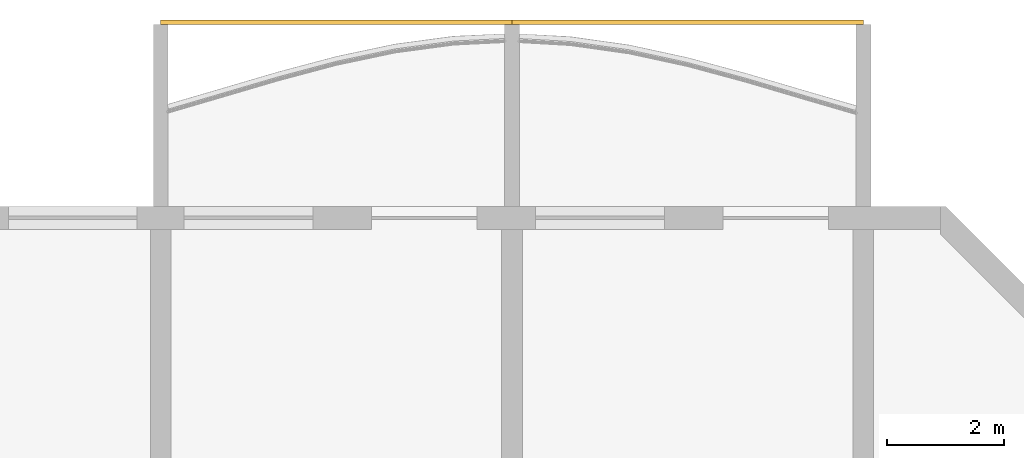
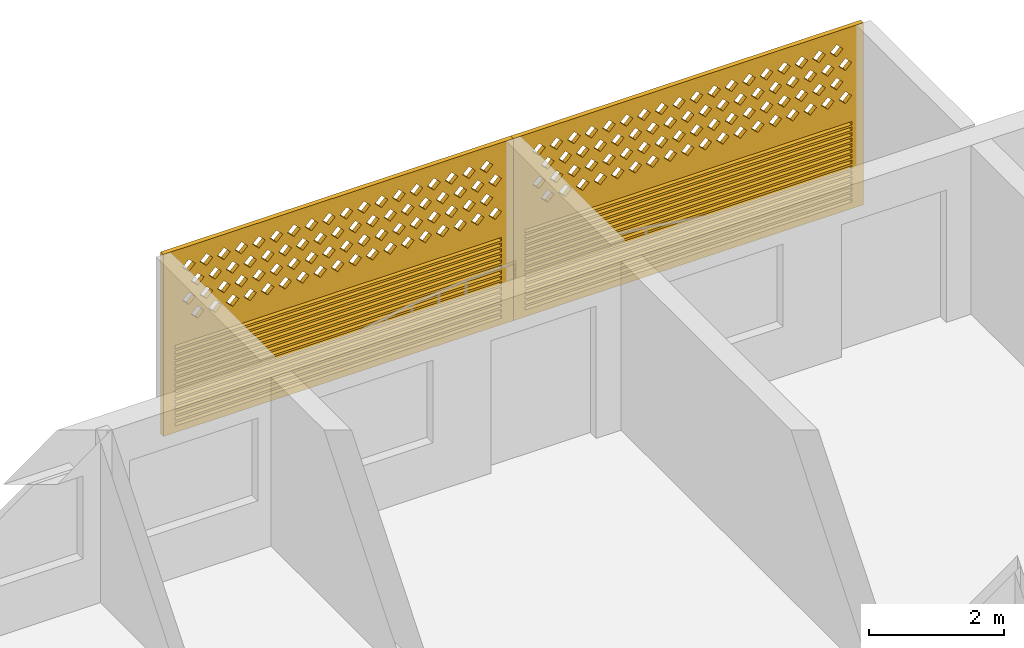
# One storey, part 26 of 26: 2 coverings.
"""IFC4 building model written with IfcOpenShell, lengths in metres."""

import ifcopenshell
import ifcopenshell.guid

model = None  # the IFC model being written
_history = None  # IfcOwnerHistory: only IFC2X3 demands one
_inside = {}  # id of a spatial element -> (the spatial element, [elements in it])
_under = {}  # id of a project, library or spatial element -> (it, [spatial elements below it])
_declared = {}  # id of a project -> (the project, [libraries it declares])
_typed = {}  # id of a type object -> (the type object, [elements of that type])
_made_of = {}  # id of a material, layer set ... -> (it, [elements and type objects made of it])


def new_model(schema):
    """Start an empty IFC model of exactly this schema.

    Asked for "IFC4X3", IfcOpenShell would pick the latest addendum, in which some entities
    have other attributes; the version numbers below select the first issue.
    IFC2X3 requires an IfcOwnerHistory on every rooted entity: one is made here for all.
    """
    global model, _history
    if schema == "IFC4X3":
        model = ifcopenshell.file(schema_version=(4, 3, 0, 0))
    else:
        model = ifcopenshell.file(schema=schema)
    _inside.clear()
    _under.clear()
    _declared.clear()
    _typed.clear()
    _made_of.clear()
    _history = None
    if model.schema == "IFC2X3":
        org = make("IfcOrganization", Name="unknown")
        user = make(
            "IfcPersonAndOrganization",
            ThePerson=make("IfcPerson", FamilyName="unknown"),
            TheOrganization=org,
        )
        app = make(
            "IfcApplication",
            ApplicationDeveloper=org,
            Version="unknown",
            ApplicationFullName="unknown",
            ApplicationIdentifier="unknown",
        )
        _history = make(
            "IfcOwnerHistory",
            OwningUser=user,
            OwningApplication=app,
            ChangeAction="ADDED",
            CreationDate=0,
        )
    return model


def make(cls, **values):
    """One entity of the class cls with the attributes given. An attribute that is None is left unset."""
    return model.create_entity(
        cls, **{name: value for name, value in values.items() if value is not None}
    )


def rooted(cls, **values):
    """An entity with a GlobalId (a new one), such as an element, a storey or a relation."""
    return make(cls, GlobalId=ifcopenshell.guid.new(), OwnerHistory=_history, **values)


def si_unit(unit_type, name, prefix=None):
    """IfcSIUnit, for example si_unit("LENGTHUNIT", "METRE", prefix="MILLI")."""
    return make("IfcSIUnit", UnitType=unit_type, Prefix=prefix, Name=name)


def assignment(units):
    """IfcUnitAssignment: the units of a project."""
    return None if units is None else make("IfcUnitAssignment", Units=units)


def point(xyz):
    """IfcCartesianPoint."""
    return None if xyz is None else make("IfcCartesianPoint", Coordinates=xyz)


def direction(xyz):
    """IfcDirection."""
    return None if xyz is None else make("IfcDirection", DirectionRatios=xyz)


def frame(location, z_axis=None, x_axis=None):
    """IfcAxis2Placement3D, a coordinate frame: its origin and axes. An axis left out is left unset."""
    return make(
        "IfcAxis2Placement3D",
        Location=point(location),
        Axis=direction(z_axis),
        RefDirection=direction(x_axis),
    )


def origin():
    """The frame at (0, 0, 0) with its axes left unset."""
    return frame((0.0, 0.0, 0.0))


def place(relative_to, where):
    """IfcLocalPlacement: puts the frame where relative to a parent placement (None: the world)."""
    return make(
        "IfcLocalPlacement", PlacementRelTo=relative_to, RelativePlacement=where
    )


def context(
    kind, dimensions, precision=None, world=None, true_north=None, identifier=None
):
    """IfcGeometricRepresentationContext, for example the 3D "Model" context."""
    return make(
        "IfcGeometricRepresentationContext",
        ContextIdentifier=identifier,
        ContextType=kind,
        CoordinateSpaceDimension=dimensions,
        Precision=precision,
        WorldCoordinateSystem=world,
        TrueNorth=true_north,
    )


def subcontext(parent, identifier, kind, view, scale=None):
    """IfcGeometricRepresentationSubContext, for example "Body" below "Model"."""
    return make(
        "IfcGeometricRepresentationSubContext",
        ContextIdentifier=identifier,
        ContextType=kind,
        ParentContext=parent,
        TargetScale=scale,
        TargetView=view,
    )


def project(units=None, contexts=None):
    """IfcProject with its units and contexts."""
    return rooted(
        "IfcProject",
        Name="project",
        RepresentationContexts=contexts,
        UnitsInContext=assignment(units),
    )


def spatial(cls, under=None, at=None, **own):
    """A site, building, storey or space (cls), placed at a placement, below another one or the project."""
    s = rooted(cls, ObjectPlacement=at, **own)
    if under is not None:
        _under.setdefault(under.id(), (under, []))[1].append(s)
    return s


def polyline(points):
    """IfcPolyline through the points."""
    return make("IfcPolyline", Points=[point(p) for p in points])


def outline(outer, holes=None, kind="AREA"):
    """IfcArbitraryClosedProfileDef: a profile drawn as a closed curve; with holes, ...WithVoids."""
    if holes is None:
        return make("IfcArbitraryClosedProfileDef", ProfileType=kind, OuterCurve=outer)
    return make(
        "IfcArbitraryProfileDefWithVoids",
        ProfileType=kind,
        OuterCurve=outer,
        InnerCurves=holes,
    )


def extrude(swept, where, along, depth):
    """IfcExtrudedAreaSolid: the profile swept, set in the frame where, extruded along a direction by depth."""
    return make(
        "IfcExtrudedAreaSolid",
        SweptArea=swept,
        Position=where,
        ExtrudedDirection=direction(along),
        Depth=depth,
    )


def shape(context_of_items, identifier, shape_type, items):
    """IfcShapeRepresentation: the items that make up one representation, for example the "Body"."""
    return make(
        "IfcShapeRepresentation",
        ContextOfItems=context_of_items,
        RepresentationIdentifier=identifier,
        RepresentationType=shape_type,
        Items=items,
    )


def source(mapping_origin, context_of_items, identifier, shape_type, items):
    """IfcRepresentationMap: a shape defined once, which mapped items show again and again."""
    return make(
        "IfcRepresentationMap",
        MappingOrigin=mapping_origin,
        MappedRepresentation=shape(context_of_items, identifier, shape_type, items),
    )


def transform(
    local_origin,
    x_axis=None,
    y_axis=None,
    z_axis=None,
    scale=None,
    scale2=None,
    scale3=None,
    uniform=True,
):
    """IfcCartesianTransformationOperator3D, or its non-uniform kind. x_axis, y_axis, z_axis: its Axis1, 2, 3."""
    if uniform:
        return make(
            "IfcCartesianTransformationOperator3D",
            Axis1=direction(x_axis),
            Axis2=direction(y_axis),
            LocalOrigin=point(local_origin),
            Scale=scale,
            Axis3=direction(z_axis),
        )
    return make(
        "IfcCartesianTransformationOperator3DnonUniform",
        Axis1=direction(x_axis),
        Axis2=direction(y_axis),
        LocalOrigin=point(local_origin),
        Scale=scale,
        Axis3=direction(z_axis),
        Scale2=scale2,
        Scale3=scale3,
    )


def mapped(mapping_source, mapping_target):
    """IfcMappedItem: shows the shape of a source again, moved by a transform."""
    return make(
        "IfcMappedItem", MappingSource=mapping_source, MappingTarget=mapping_target
    )


def material(Name=None, Category=None):
    """IfcMaterial."""
    return make("IfcMaterial", Name=Name, Category=Category)


def material_profile(
    of_material, cross_section, Name=None, Category=None, Priority=None
):
    """IfcMaterialProfile: a cross section and its material."""
    return make(
        "IfcMaterialProfile",
        Name=Name,
        Material=of_material,
        Profile=cross_section,
        Priority=Priority,
        Category=Category,
    )


def profile_set(profiles, Name=None, composite=None):
    """IfcMaterialProfileSet."""
    return make(
        "IfcMaterialProfileSet",
        Name=Name,
        MaterialProfiles=profiles,
        CompositeProfile=composite,
    )


def made_of(thing, what):
    """Note that an element or type object is made of a material, layer set ...; save() writes the relation."""
    if what is not None:
        _made_of.setdefault(what.id(), (what, []))[1].append(thing)
    return thing


def type_object(cls, material=None, **own):
    """A type object (cls), such as IfcWallType, which elements share."""
    return made_of(rooted(cls, **own), material)


def element(
    cls,
    number,
    at=None,
    inside=None,
    cuts=None,
    type_object=None,
    material=None,
    context=None,
    identifier="Body",
    shape_type=None,
    held_by="IfcProductDefinitionShape",
    body=None,
    shapes=None,
    **own,
):
    """One element of the class cls, such as IfcWall. Its Tag is "e" and its number.

    at: its placement. inside: the storey or other place that contains it. cuts: it is an
    opening in that element (IfcRelVoidsElement). A single representation is given by context,
    identifier, shape_type and body (its items); several are given by shapes. held_by: the class
    of the entity that holds the representations. save() writes the other relations.
    """
    e = rooted(cls, Tag="e%d" % number, ObjectPlacement=at, **own)
    if body is not None:
        shapes = [shape(context, identifier, shape_type, body)]
    if shapes is not None:
        e.Representation = make(held_by, Representations=shapes)
    if inside is not None:
        _inside.setdefault(inside.id(), (inside, []))[1].append(e)
    if cuts is not None:
        rooted(
            "IfcRelVoidsElement", RelatingBuildingElement=cuts, RelatedOpeningElement=e
        )
    if type_object is not None:
        _typed.setdefault(type_object.id(), (type_object, []))[1].append(e)
    return made_of(e, material)


def aggregate(whole, parts):
    """IfcRelAggregates: a whole, such as a stair, and the parts it consists of."""
    return rooted("IfcRelAggregates", RelatingObject=whole, RelatedObjects=parts)


def save(model, path):
    """Write the relations noted so far, then the file.

    IfcRelAggregates (storeys below a building ...), IfcRelContainedInSpatialStructure (elements
    in a storey), IfcRelDefinesByType, IfcRelAssociatesMaterial and IfcRelDeclares: one each for
    every whole, place, type object, material and project.
    """
    for whole, parts in _under.values():
        aggregate(whole, parts)
    for where, things in _inside.values():
        rooted(
            "IfcRelContainedInSpatialStructure",
            RelatedElements=things,
            RelatingStructure=where,
        )
    for kind, things in _typed.values():
        rooted("IfcRelDefinesByType", RelatedObjects=things, RelatingType=kind)
    for what, things in _made_of.values():
        rooted("IfcRelAssociatesMaterial", RelatedObjects=things, RelatingMaterial=what)
    for by, libraries in _declared.values():
        rooted("IfcRelDeclares", RelatingContext=by, RelatedDefinitions=libraries)
    model.write(path)


model = new_model("IFC4")

# Units and contexts
model_context = context("Model", 3, precision=1e-05, world=origin(), true_north=direction((0.0, 1.0)))
body_context = subcontext(model_context, "Body", "Model", "MODEL_VIEW")
ifc_project = project(units=[si_unit("LENGTHUNIT", "METRE"), si_unit("AREAUNIT", "SQUARE_METRE"), si_unit("VOLUMEUNIT", "CUBIC_METRE"), si_unit("PLANEANGLEUNIT", "RADIAN"), si_unit("MASSUNIT", "GRAM", prefix="KILO")], contexts=[model_context])

# Site, building, storey
site_placement = place(None, origin())
site = spatial("IfcSite", under=ifc_project, at=site_placement, CompositionType="ELEMENT")
building_placement = place(site_placement, origin())
building = spatial("IfcBuilding", under=site, at=building_placement, Name="Poui Terraces", CompositionType="ELEMENT")
storey_placement = place(building_placement, frame((0.0, 0.0, 79.5)))
storey = spatial("IfcBuildingStorey", under=building, at=storey_placement, Name="L21", CompositionType="ELEMENT", Elevation=79.5)

# Coverings
ifc_material = material(Name="Terracotta screen", Category="masonry")
ifc_material_profile = material_profile(ifc_material, outline(polyline([(-3.0, -1.64990234375), (3.0, -1.64990234375), (3.0, 1.64990234375), (-3.0, 1.64990234375), (-3.0, -1.64990234375)]), holes=[polyline([(-2.800048828125, 0.39990234375), (-2.68994140625, 0.2900390625), (-2.580078125, 0.39990234375), (-2.68994140625, 0.510009765625), (-2.800048828125, 0.39990234375)]), polyline([(-2.5, 0.39990234375), (-2.389892578125, 0.2900390625), (-2.280029296875, 0.39990234375), (-2.389892578125, 0.510009765625), (-2.5, 0.39990234375)]), polyline([(-2.199951171875, 0.39990234375), (-2.090087890625, 0.2900390625), (-1.97998046875, 0.39990234375), (-2.090087890625, 0.510009765625), (-2.199951171875, 0.39990234375)]), polyline([(-1.89990234375, 0.39990234375), (-1.7900390625, 0.2900390625), (-1.679931640625, 0.39990234375), (-1.7900390625, 0.510009765625), (-1.89990234375, 0.39990234375)]), polyline([(-1.60009765625, 0.39990234375), (-1.489990234375, 0.2900390625), (-1.3798828125, 0.39990234375), (-1.489990234375, 0.510009765625), (-1.60009765625, 0.39990234375)]), polyline([(-1.300048828125, 0.39990234375), (-1.18994140625, 0.2900390625), (-1.080078125, 0.39990234375), (-1.18994140625, 0.510009765625), (-1.300048828125, 0.39990234375)]), polyline([(-1.0, 0.39990234375), (-0.889892578125, 0.2900390625), (-0.780029296875, 0.39990234375), (-0.889892578125, 0.510009765625), (-1.0, 0.39990234375)]), polyline([(-0.699951171875, 0.39990234375), (-0.590087890625, 0.2900390625), (-0.47998046875, 0.39990234375), (-0.590087890625, 0.510009765625), (-0.699951171875, 0.39990234375)]), polyline([(-0.39990234375, 0.39990234375), (-0.2900390625, 0.2900390625), (-0.179931640625, 0.39990234375), (-0.2900390625, 0.510009765625), (-0.39990234375, 0.39990234375)]), polyline([(-0.10009765625, 0.39990234375), (0.010009765625, 0.2900390625), (0.1201171875, 0.39990234375), (0.010009765625, 0.510009765625), (-0.10009765625, 0.39990234375)]), polyline([(0.199951171875, 0.39990234375), (0.31005859375, 0.2900390625), (0.419921875, 0.39990234375), (0.31005859375, 0.510009765625), (0.199951171875, 0.39990234375)]), polyline([(0.5, 0.39990234375), (0.610107421875, 0.2900390625), (0.719970703125, 0.39990234375), (0.610107421875, 0.510009765625), (0.5, 0.39990234375)]), polyline([(0.800048828125, 0.39990234375), (0.909912109375, 0.2900390625), (1.02001953125, 0.39990234375), (0.909912109375, 0.510009765625), (0.800048828125, 0.39990234375)]), polyline([(1.10009765625, 0.39990234375), (1.2099609375, 0.2900390625), (1.320068359375, 0.39990234375), (1.2099609375, 0.510009765625), (1.10009765625, 0.39990234375)]), polyline([(1.39990234375, 0.39990234375), (1.510009765625, 0.2900390625), (1.6201171875, 0.39990234375), (1.510009765625, 0.510009765625), (1.39990234375, 0.39990234375)]), polyline([(1.699951171875, 0.39990234375), (1.81005859375, 0.2900390625), (1.919921875, 0.39990234375), (1.81005859375, 0.510009765625), (1.699951171875, 0.39990234375)]), polyline([(2.0, 0.39990234375), (2.110107421875, 0.2900390625), (2.219970703125, 0.39990234375), (2.110107421875, 0.510009765625), (2.0, 0.39990234375)]), polyline([(2.300048828125, 0.39990234375), (2.409912109375, 0.2900390625), (2.52001953125, 0.39990234375), (2.409912109375, 0.510009765625), (2.300048828125, 0.39990234375)]), polyline([(-2.64990234375, 0.699951171875), (-2.5400390625, 0.590087890625), (-2.429931640625, 0.699951171875), (-2.5400390625, 0.81005859375), (-2.64990234375, 0.699951171875)]), polyline([(-2.35009765625, 0.699951171875), (-2.239990234375, 0.590087890625), (-2.1298828125, 0.699951171875), (-2.239990234375, 0.81005859375), (-2.35009765625, 0.699951171875)]), polyline([(-2.050048828125, 0.699951171875), (-1.93994140625, 0.590087890625), (-1.830078125, 0.699951171875), (-1.93994140625, 0.81005859375), (-2.050048828125, 0.699951171875)]), polyline([(-1.75, 0.699951171875), (-1.639892578125, 0.590087890625), (-1.530029296875, 0.699951171875), (-1.639892578125, 0.81005859375), (-1.75, 0.699951171875)]), polyline([(-1.449951171875, 0.699951171875), (-1.340087890625, 0.590087890625), (-1.22998046875, 0.699951171875), (-1.340087890625, 0.81005859375), (-1.449951171875, 0.699951171875)]), polyline([(-1.14990234375, 0.699951171875), (-1.0400390625, 0.590087890625), (-0.929931640625, 0.699951171875), (-1.0400390625, 0.81005859375), (-1.14990234375, 0.699951171875)]), polyline([(-0.85009765625, 0.699951171875), (-0.739990234375, 0.590087890625), (-0.6298828125, 0.699951171875), (-0.739990234375, 0.81005859375), (-0.85009765625, 0.699951171875)]), polyline([(-0.550048828125, 0.699951171875), (-0.43994140625, 0.590087890625), (-0.330078125, 0.699951171875), (-0.43994140625, 0.81005859375), (-0.550048828125, 0.699951171875)]), polyline([(-0.25, 0.699951171875), (-0.139892578125, 0.590087890625), (-0.030029296875, 0.699951171875), (-0.139892578125, 0.81005859375), (-0.25, 0.699951171875)]), polyline([(0.050048828125, 0.699951171875), (0.159912109375, 0.590087890625), (0.27001953125, 0.699951171875), (0.159912109375, 0.81005859375), (0.050048828125, 0.699951171875)]), polyline([(0.35009765625, 0.699951171875), (0.4599609375, 0.590087890625), (0.570068359375, 0.699951171875), (0.4599609375, 0.81005859375), (0.35009765625, 0.699951171875)]), polyline([(0.64990234375, 0.699951171875), (0.760009765625, 0.590087890625), (0.8701171875, 0.699951171875), (0.760009765625, 0.81005859375), (0.64990234375, 0.699951171875)]), polyline([(0.949951171875, 0.699951171875), (1.06005859375, 0.590087890625), (1.169921875, 0.699951171875), (1.06005859375, 0.81005859375), (0.949951171875, 0.699951171875)]), polyline([(1.25, 0.699951171875), (1.360107421875, 0.590087890625), (1.469970703125, 0.699951171875), (1.360107421875, 0.81005859375), (1.25, 0.699951171875)]), polyline([(1.550048828125, 0.699951171875), (1.659912109375, 0.590087890625), (1.77001953125, 0.699951171875), (1.659912109375, 0.81005859375), (1.550048828125, 0.699951171875)]), polyline([(1.85009765625, 0.699951171875), (1.9599609375, 0.590087890625), (2.070068359375, 0.699951171875), (1.9599609375, 0.81005859375), (1.85009765625, 0.699951171875)]), polyline([(2.14990234375, 0.699951171875), (2.260009765625, 0.590087890625), (2.3701171875, 0.699951171875), (2.260009765625, 0.81005859375), (2.14990234375, 0.699951171875)]), polyline([(2.449951171875, 0.699951171875), (2.56005859375, 0.590087890625), (2.669921875, 0.699951171875), (2.56005859375, 0.81005859375), (2.449951171875, 0.699951171875)]), polyline([(-2.800048828125, 1.0), (-2.68994140625, 0.889892578125), (-2.580078125, 1.0), (-2.68994140625, 1.110107421875), (-2.800048828125, 1.0)]), polyline([(-2.5, 1.0), (-2.389892578125, 0.889892578125), (-2.280029296875, 1.0), (-2.389892578125, 1.110107421875), (-2.5, 1.0)]), polyline([(-2.199951171875, 1.0), (-2.090087890625, 0.889892578125), (-1.97998046875, 1.0), (-2.090087890625, 1.110107421875), (-2.199951171875, 1.0)]), polyline([(-1.89990234375, 1.0), (-1.7900390625, 0.889892578125), (-1.679931640625, 1.0), (-1.7900390625, 1.110107421875), (-1.89990234375, 1.0)]), polyline([(-1.60009765625, 1.0), (-1.489990234375, 0.889892578125), (-1.3798828125, 1.0), (-1.489990234375, 1.110107421875), (-1.60009765625, 1.0)]), polyline([(-1.300048828125, 1.0), (-1.18994140625, 0.889892578125), (-1.080078125, 1.0), (-1.18994140625, 1.110107421875), (-1.300048828125, 1.0)]), polyline([(-1.0, 1.0), (-0.889892578125, 0.889892578125), (-0.780029296875, 1.0), (-0.889892578125, 1.110107421875), (-1.0, 1.0)]), polyline([(-0.699951171875, 1.0), (-0.590087890625, 0.889892578125), (-0.47998046875, 1.0), (-0.590087890625, 1.110107421875), (-0.699951171875, 1.0)]), polyline([(-0.39990234375, 1.0), (-0.2900390625, 0.889892578125), (-0.179931640625, 1.0), (-0.2900390625, 1.110107421875), (-0.39990234375, 1.0)]), polyline([(-0.10009765625, 1.0), (0.010009765625, 0.889892578125), (0.1201171875, 1.0), (0.010009765625, 1.110107421875), (-0.10009765625, 1.0)]), polyline([(0.199951171875, 1.0), (0.31005859375, 0.889892578125), (0.419921875, 1.0), (0.31005859375, 1.110107421875), (0.199951171875, 1.0)]), polyline([(0.5, 1.0), (0.610107421875, 0.889892578125), (0.719970703125, 1.0), (0.610107421875, 1.110107421875), (0.5, 1.0)]), polyline([(0.800048828125, 1.0), (0.909912109375, 0.889892578125), (1.02001953125, 1.0), (0.909912109375, 1.110107421875), (0.800048828125, 1.0)]), polyline([(1.10009765625, 1.0), (1.2099609375, 0.889892578125), (1.320068359375, 1.0), (1.2099609375, 1.110107421875), (1.10009765625, 1.0)]), polyline([(1.39990234375, 1.0), (1.510009765625, 0.889892578125), (1.6201171875, 1.0), (1.510009765625, 1.110107421875), (1.39990234375, 1.0)]), polyline([(1.699951171875, 1.0), (1.81005859375, 0.889892578125), (1.919921875, 1.0), (1.81005859375, 1.110107421875), (1.699951171875, 1.0)]), polyline([(2.0, 1.0), (2.110107421875, 0.889892578125), (2.219970703125, 1.0), (2.110107421875, 1.110107421875), (2.0, 1.0)]), polyline([(2.300048828125, 1.0), (2.409912109375, 0.889892578125), (2.52001953125, 1.0), (2.409912109375, 1.110107421875), (2.300048828125, 1.0)]), polyline([(-2.64990234375, 1.300048828125), (-2.5400390625, 1.18994140625), (-2.429931640625, 1.300048828125), (-2.5400390625, 1.409912109375), (-2.64990234375, 1.300048828125)]), polyline([(-2.35009765625, 1.300048828125), (-2.239990234375, 1.18994140625), (-2.1298828125, 1.300048828125), (-2.239990234375, 1.409912109375), (-2.35009765625, 1.300048828125)]), polyline([(-2.050048828125, 1.300048828125), (-1.93994140625, 1.18994140625), (-1.830078125, 1.300048828125), (-1.93994140625, 1.409912109375), (-2.050048828125, 1.300048828125)]), polyline([(-1.75, 1.300048828125), (-1.639892578125, 1.18994140625), (-1.530029296875, 1.300048828125), (-1.639892578125, 1.409912109375), (-1.75, 1.300048828125)]), polyline([(-1.449951171875, 1.300048828125), (-1.340087890625, 1.18994140625), (-1.22998046875, 1.300048828125), (-1.340087890625, 1.409912109375), (-1.449951171875, 1.300048828125)]), polyline([(-1.14990234375, 1.300048828125), (-1.0400390625, 1.18994140625), (-0.929931640625, 1.300048828125), (-1.0400390625, 1.409912109375), (-1.14990234375, 1.300048828125)]), polyline([(-0.85009765625, 1.300048828125), (-0.739990234375, 1.18994140625), (-0.6298828125, 1.300048828125), (-0.739990234375, 1.409912109375), (-0.85009765625, 1.300048828125)]), polyline([(-0.550048828125, 1.300048828125), (-0.43994140625, 1.18994140625), (-0.330078125, 1.300048828125), (-0.43994140625, 1.409912109375), (-0.550048828125, 1.300048828125)]), polyline([(-0.25, 1.300048828125), (-0.139892578125, 1.18994140625), (-0.030029296875, 1.300048828125), (-0.139892578125, 1.409912109375), (-0.25, 1.300048828125)]), polyline([(0.050048828125, 1.300048828125), (0.159912109375, 1.18994140625), (0.27001953125, 1.300048828125), (0.159912109375, 1.409912109375), (0.050048828125, 1.300048828125)]), polyline([(0.35009765625, 1.300048828125), (0.4599609375, 1.18994140625), (0.570068359375, 1.300048828125), (0.4599609375, 1.409912109375), (0.35009765625, 1.300048828125)]), polyline([(0.64990234375, 1.300048828125), (0.760009765625, 1.18994140625), (0.8701171875, 1.300048828125), (0.760009765625, 1.409912109375), (0.64990234375, 1.300048828125)]), polyline([(0.949951171875, 1.300048828125), (1.06005859375, 1.18994140625), (1.169921875, 1.300048828125), (1.06005859375, 1.409912109375), (0.949951171875, 1.300048828125)]), polyline([(1.25, 1.300048828125), (1.360107421875, 1.18994140625), (1.469970703125, 1.300048828125), (1.360107421875, 1.409912109375), (1.25, 1.300048828125)]), polyline([(1.550048828125, 1.300048828125), (1.659912109375, 1.18994140625), (1.77001953125, 1.300048828125), (1.659912109375, 1.409912109375), (1.550048828125, 1.300048828125)]), polyline([(1.85009765625, 1.300048828125), (1.9599609375, 1.18994140625), (2.070068359375, 1.300048828125), (1.9599609375, 1.409912109375), (1.85009765625, 1.300048828125)]), polyline([(2.14990234375, 1.300048828125), (2.260009765625, 1.18994140625), (2.3701171875, 1.300048828125), (2.260009765625, 1.409912109375), (2.14990234375, 1.300048828125)]), polyline([(2.449951171875, 1.300048828125), (2.56005859375, 1.18994140625), (2.669921875, 1.300048828125), (2.56005859375, 1.409912109375), (2.449951171875, 1.300048828125)]), polyline([(-2.800048828125, -1.530029296875), (2.800048828125, -1.530029296875), (2.800048828125, -1.469970703125), (-2.800048828125, -1.469970703125), (-2.800048828125, -1.530029296875)]), polyline([(-2.800048828125, -1.429931640625), (2.800048828125, -1.429931640625), (2.800048828125, -1.3701171875), (-2.800048828125, -1.3701171875), (-2.800048828125, -1.429931640625)]), polyline([(-2.800048828125, -1.330078125), (2.800048828125, -1.330078125), (2.800048828125, -1.27001953125), (-2.800048828125, -1.27001953125), (-2.800048828125, -1.330078125)]), polyline([(-2.800048828125, -1.22998046875), (2.800048828125, -1.22998046875), (2.800048828125, -1.169921875), (-2.800048828125, -1.169921875), (-2.800048828125, -1.22998046875)]), polyline([(-2.800048828125, -1.1298828125), (2.800048828125, -1.1298828125), (2.800048828125, -1.070068359375), (-2.800048828125, -1.070068359375), (-2.800048828125, -1.1298828125)]), polyline([(-2.800048828125, -1.030029296875), (2.800048828125, -1.030029296875), (2.800048828125, -0.969970703125), (-2.800048828125, -0.969970703125), (-2.800048828125, -1.030029296875)]), polyline([(-2.800048828125, -0.929931640625), (2.800048828125, -0.929931640625), (2.800048828125, -0.8701171875), (-2.800048828125, -0.8701171875), (-2.800048828125, -0.929931640625)]), polyline([(-2.800048828125, -0.830078125), (2.800048828125, -0.830078125), (2.800048828125, -0.77001953125), (-2.800048828125, -0.77001953125), (-2.800048828125, -0.830078125)]), polyline([(-2.800048828125, -0.72998046875), (2.800048828125, -0.72998046875), (2.800048828125, -0.669921875), (-2.800048828125, -0.669921875), (-2.800048828125, -0.72998046875)]), polyline([(-2.800048828125, -0.6298828125), (2.800048828125, -0.6298828125), (2.800048828125, -0.570068359375), (-2.800048828125, -0.570068359375), (-2.800048828125, -0.6298828125)]), polyline([(-2.800048828125, -0.530029296875), (2.800048828125, -0.530029296875), (2.800048828125, -0.469970703125), (-2.800048828125, -0.469970703125), (-2.800048828125, -0.530029296875)]), polyline([(-2.800048828125, -0.429931640625), (2.800048828125, -0.429931640625), (2.800048828125, -0.3701171875), (-2.800048828125, -0.3701171875), (-2.800048828125, -0.429931640625)]), polyline([(-2.800048828125, -0.330078125), (2.800048828125, -0.330078125), (2.800048828125, -0.27001953125), (-2.800048828125, -0.27001953125), (-2.800048828125, -0.330078125)]), polyline([(-2.800048828125, -0.22998046875), (2.800048828125, -0.22998046875), (2.800048828125, -0.169921875), (-2.800048828125, -0.169921875), (-2.800048828125, -0.22998046875)]), polyline([(-2.800048828125, -0.1298828125), (2.800048828125, -0.1298828125), (2.800048828125, -0.070068359375), (-2.800048828125, -0.070068359375), (-2.800048828125, -0.1298828125)])]), Name="TERRACOTTA SCREEN AND JALOUSIE LOUVRE 6000X3300")
ifc_profile_set = profile_set([ifc_material_profile], Name="Terracotta screen")
covering_type = type_object("IfcCoveringType", Name="TERRACOTTA SCREEN AND JALOUSIE LOUVRE 6000X3300", PredefinedType="CLADDING", material=ifc_profile_set)
shared_shape = source(origin(), body_context, "Body", "SweptSolid", [
    extrude(outline(polyline([(-3.0, -1.64990234375), (3.0, -1.64990234375), (3.0, 1.64990234375), (-3.0, 1.64990234375), (-3.0, -1.64990234375)]), holes=[polyline([(-2.800048828125, 0.39990234375), (-2.68994140625, 0.2900390625), (-2.580078125, 0.39990234375), (-2.68994140625, 0.510009765625), (-2.800048828125, 0.39990234375)]), polyline([(-2.5, 0.39990234375), (-2.389892578125, 0.2900390625), (-2.280029296875, 0.39990234375), (-2.389892578125, 0.510009765625), (-2.5, 0.39990234375)]), polyline([(-2.199951171875, 0.39990234375), (-2.090087890625, 0.2900390625), (-1.97998046875, 0.39990234375), (-2.090087890625, 0.510009765625), (-2.199951171875, 0.39990234375)]), polyline([(-1.89990234375, 0.39990234375), (-1.7900390625, 0.2900390625), (-1.679931640625, 0.39990234375), (-1.7900390625, 0.510009765625), (-1.89990234375, 0.39990234375)]), polyline([(-1.60009765625, 0.39990234375), (-1.489990234375, 0.2900390625), (-1.3798828125, 0.39990234375), (-1.489990234375, 0.510009765625), (-1.60009765625, 0.39990234375)]), polyline([(-1.300048828125, 0.39990234375), (-1.18994140625, 0.2900390625), (-1.080078125, 0.39990234375), (-1.18994140625, 0.510009765625), (-1.300048828125, 0.39990234375)]), polyline([(-1.0, 0.39990234375), (-0.889892578125, 0.2900390625), (-0.780029296875, 0.39990234375), (-0.889892578125, 0.510009765625), (-1.0, 0.39990234375)]), polyline([(-0.699951171875, 0.39990234375), (-0.590087890625, 0.2900390625), (-0.47998046875, 0.39990234375), (-0.590087890625, 0.510009765625), (-0.699951171875, 0.39990234375)]), polyline([(-0.39990234375, 0.39990234375), (-0.2900390625, 0.2900390625), (-0.179931640625, 0.39990234375), (-0.2900390625, 0.510009765625), (-0.39990234375, 0.39990234375)]), polyline([(-0.10009765625, 0.39990234375), (0.010009765625, 0.2900390625), (0.1201171875, 0.39990234375), (0.010009765625, 0.510009765625), (-0.10009765625, 0.39990234375)]), polyline([(0.199951171875, 0.39990234375), (0.31005859375, 0.2900390625), (0.419921875, 0.39990234375), (0.31005859375, 0.510009765625), (0.199951171875, 0.39990234375)]), polyline([(0.5, 0.39990234375), (0.610107421875, 0.2900390625), (0.719970703125, 0.39990234375), (0.610107421875, 0.510009765625), (0.5, 0.39990234375)]), polyline([(0.800048828125, 0.39990234375), (0.909912109375, 0.2900390625), (1.02001953125, 0.39990234375), (0.909912109375, 0.510009765625), (0.800048828125, 0.39990234375)]), polyline([(1.10009765625, 0.39990234375), (1.2099609375, 0.2900390625), (1.320068359375, 0.39990234375), (1.2099609375, 0.510009765625), (1.10009765625, 0.39990234375)]), polyline([(1.39990234375, 0.39990234375), (1.510009765625, 0.2900390625), (1.6201171875, 0.39990234375), (1.510009765625, 0.510009765625), (1.39990234375, 0.39990234375)]), polyline([(1.699951171875, 0.39990234375), (1.81005859375, 0.2900390625), (1.919921875, 0.39990234375), (1.81005859375, 0.510009765625), (1.699951171875, 0.39990234375)]), polyline([(2.0, 0.39990234375), (2.110107421875, 0.2900390625), (2.219970703125, 0.39990234375), (2.110107421875, 0.510009765625), (2.0, 0.39990234375)]), polyline([(2.300048828125, 0.39990234375), (2.409912109375, 0.2900390625), (2.52001953125, 0.39990234375), (2.409912109375, 0.510009765625), (2.300048828125, 0.39990234375)]), polyline([(-2.64990234375, 0.699951171875), (-2.5400390625, 0.590087890625), (-2.429931640625, 0.699951171875), (-2.5400390625, 0.81005859375), (-2.64990234375, 0.699951171875)]), polyline([(-2.35009765625, 0.699951171875), (-2.239990234375, 0.590087890625), (-2.1298828125, 0.699951171875), (-2.239990234375, 0.81005859375), (-2.35009765625, 0.699951171875)]), polyline([(-2.050048828125, 0.699951171875), (-1.93994140625, 0.590087890625), (-1.830078125, 0.699951171875), (-1.93994140625, 0.81005859375), (-2.050048828125, 0.699951171875)]), polyline([(-1.75, 0.699951171875), (-1.639892578125, 0.590087890625), (-1.530029296875, 0.699951171875), (-1.639892578125, 0.81005859375), (-1.75, 0.699951171875)]), polyline([(-1.449951171875, 0.699951171875), (-1.340087890625, 0.590087890625), (-1.22998046875, 0.699951171875), (-1.340087890625, 0.81005859375), (-1.449951171875, 0.699951171875)]), polyline([(-1.14990234375, 0.699951171875), (-1.0400390625, 0.590087890625), (-0.929931640625, 0.699951171875), (-1.0400390625, 0.81005859375), (-1.14990234375, 0.699951171875)]), polyline([(-0.85009765625, 0.699951171875), (-0.739990234375, 0.590087890625), (-0.6298828125, 0.699951171875), (-0.739990234375, 0.81005859375), (-0.85009765625, 0.699951171875)]), polyline([(-0.550048828125, 0.699951171875), (-0.43994140625, 0.590087890625), (-0.330078125, 0.699951171875), (-0.43994140625, 0.81005859375), (-0.550048828125, 0.699951171875)]), polyline([(-0.25, 0.699951171875), (-0.139892578125, 0.590087890625), (-0.030029296875, 0.699951171875), (-0.139892578125, 0.81005859375), (-0.25, 0.699951171875)]), polyline([(0.050048828125, 0.699951171875), (0.159912109375, 0.590087890625), (0.27001953125, 0.699951171875), (0.159912109375, 0.81005859375), (0.050048828125, 0.699951171875)]), polyline([(0.35009765625, 0.699951171875), (0.4599609375, 0.590087890625), (0.570068359375, 0.699951171875), (0.4599609375, 0.81005859375), (0.35009765625, 0.699951171875)]), polyline([(0.64990234375, 0.699951171875), (0.760009765625, 0.590087890625), (0.8701171875, 0.699951171875), (0.760009765625, 0.81005859375), (0.64990234375, 0.699951171875)]), polyline([(0.949951171875, 0.699951171875), (1.06005859375, 0.590087890625), (1.169921875, 0.699951171875), (1.06005859375, 0.81005859375), (0.949951171875, 0.699951171875)]), polyline([(1.25, 0.699951171875), (1.360107421875, 0.590087890625), (1.469970703125, 0.699951171875), (1.360107421875, 0.81005859375), (1.25, 0.699951171875)]), polyline([(1.550048828125, 0.699951171875), (1.659912109375, 0.590087890625), (1.77001953125, 0.699951171875), (1.659912109375, 0.81005859375), (1.550048828125, 0.699951171875)]), polyline([(1.85009765625, 0.699951171875), (1.9599609375, 0.590087890625), (2.070068359375, 0.699951171875), (1.9599609375, 0.81005859375), (1.85009765625, 0.699951171875)]), polyline([(2.14990234375, 0.699951171875), (2.260009765625, 0.590087890625), (2.3701171875, 0.699951171875), (2.260009765625, 0.81005859375), (2.14990234375, 0.699951171875)]), polyline([(2.449951171875, 0.699951171875), (2.56005859375, 0.590087890625), (2.669921875, 0.699951171875), (2.56005859375, 0.81005859375), (2.449951171875, 0.699951171875)]), polyline([(-2.800048828125, 1.0), (-2.68994140625, 0.889892578125), (-2.580078125, 1.0), (-2.68994140625, 1.110107421875), (-2.800048828125, 1.0)]), polyline([(-2.5, 1.0), (-2.389892578125, 0.889892578125), (-2.280029296875, 1.0), (-2.389892578125, 1.110107421875), (-2.5, 1.0)]), polyline([(-2.199951171875, 1.0), (-2.090087890625, 0.889892578125), (-1.97998046875, 1.0), (-2.090087890625, 1.110107421875), (-2.199951171875, 1.0)]), polyline([(-1.89990234375, 1.0), (-1.7900390625, 0.889892578125), (-1.679931640625, 1.0), (-1.7900390625, 1.110107421875), (-1.89990234375, 1.0)]), polyline([(-1.60009765625, 1.0), (-1.489990234375, 0.889892578125), (-1.3798828125, 1.0), (-1.489990234375, 1.110107421875), (-1.60009765625, 1.0)]), polyline([(-1.300048828125, 1.0), (-1.18994140625, 0.889892578125), (-1.080078125, 1.0), (-1.18994140625, 1.110107421875), (-1.300048828125, 1.0)]), polyline([(-1.0, 1.0), (-0.889892578125, 0.889892578125), (-0.780029296875, 1.0), (-0.889892578125, 1.110107421875), (-1.0, 1.0)]), polyline([(-0.699951171875, 1.0), (-0.590087890625, 0.889892578125), (-0.47998046875, 1.0), (-0.590087890625, 1.110107421875), (-0.699951171875, 1.0)]), polyline([(-0.39990234375, 1.0), (-0.2900390625, 0.889892578125), (-0.179931640625, 1.0), (-0.2900390625, 1.110107421875), (-0.39990234375, 1.0)]), polyline([(-0.10009765625, 1.0), (0.010009765625, 0.889892578125), (0.1201171875, 1.0), (0.010009765625, 1.110107421875), (-0.10009765625, 1.0)]), polyline([(0.199951171875, 1.0), (0.31005859375, 0.889892578125), (0.419921875, 1.0), (0.31005859375, 1.110107421875), (0.199951171875, 1.0)]), polyline([(0.5, 1.0), (0.610107421875, 0.889892578125), (0.719970703125, 1.0), (0.610107421875, 1.110107421875), (0.5, 1.0)]), polyline([(0.800048828125, 1.0), (0.909912109375, 0.889892578125), (1.02001953125, 1.0), (0.909912109375, 1.110107421875), (0.800048828125, 1.0)]), polyline([(1.10009765625, 1.0), (1.2099609375, 0.889892578125), (1.320068359375, 1.0), (1.2099609375, 1.110107421875), (1.10009765625, 1.0)]), polyline([(1.39990234375, 1.0), (1.510009765625, 0.889892578125), (1.6201171875, 1.0), (1.510009765625, 1.110107421875), (1.39990234375, 1.0)]), polyline([(1.699951171875, 1.0), (1.81005859375, 0.889892578125), (1.919921875, 1.0), (1.81005859375, 1.110107421875), (1.699951171875, 1.0)]), polyline([(2.0, 1.0), (2.110107421875, 0.889892578125), (2.219970703125, 1.0), (2.110107421875, 1.110107421875), (2.0, 1.0)]), polyline([(2.300048828125, 1.0), (2.409912109375, 0.889892578125), (2.52001953125, 1.0), (2.409912109375, 1.110107421875), (2.300048828125, 1.0)]), polyline([(-2.64990234375, 1.300048828125), (-2.5400390625, 1.18994140625), (-2.429931640625, 1.300048828125), (-2.5400390625, 1.409912109375), (-2.64990234375, 1.300048828125)]), polyline([(-2.35009765625, 1.300048828125), (-2.239990234375, 1.18994140625), (-2.1298828125, 1.300048828125), (-2.239990234375, 1.409912109375), (-2.35009765625, 1.300048828125)]), polyline([(-2.050048828125, 1.300048828125), (-1.93994140625, 1.18994140625), (-1.830078125, 1.300048828125), (-1.93994140625, 1.409912109375), (-2.050048828125, 1.300048828125)]), polyline([(-1.75, 1.300048828125), (-1.639892578125, 1.18994140625), (-1.530029296875, 1.300048828125), (-1.639892578125, 1.409912109375), (-1.75, 1.300048828125)]), polyline([(-1.449951171875, 1.300048828125), (-1.340087890625, 1.18994140625), (-1.22998046875, 1.300048828125), (-1.340087890625, 1.409912109375), (-1.449951171875, 1.300048828125)]), polyline([(-1.14990234375, 1.300048828125), (-1.0400390625, 1.18994140625), (-0.929931640625, 1.300048828125), (-1.0400390625, 1.409912109375), (-1.14990234375, 1.300048828125)]), polyline([(-0.85009765625, 1.300048828125), (-0.739990234375, 1.18994140625), (-0.6298828125, 1.300048828125), (-0.739990234375, 1.409912109375), (-0.85009765625, 1.300048828125)]), polyline([(-0.550048828125, 1.300048828125), (-0.43994140625, 1.18994140625), (-0.330078125, 1.300048828125), (-0.43994140625, 1.409912109375), (-0.550048828125, 1.300048828125)]), polyline([(-0.25, 1.300048828125), (-0.139892578125, 1.18994140625), (-0.030029296875, 1.300048828125), (-0.139892578125, 1.409912109375), (-0.25, 1.300048828125)]), polyline([(0.050048828125, 1.300048828125), (0.159912109375, 1.18994140625), (0.27001953125, 1.300048828125), (0.159912109375, 1.409912109375), (0.050048828125, 1.300048828125)]), polyline([(0.35009765625, 1.300048828125), (0.4599609375, 1.18994140625), (0.570068359375, 1.300048828125), (0.4599609375, 1.409912109375), (0.35009765625, 1.300048828125)]), polyline([(0.64990234375, 1.300048828125), (0.760009765625, 1.18994140625), (0.8701171875, 1.300048828125), (0.760009765625, 1.409912109375), (0.64990234375, 1.300048828125)]), polyline([(0.949951171875, 1.300048828125), (1.06005859375, 1.18994140625), (1.169921875, 1.300048828125), (1.06005859375, 1.409912109375), (0.949951171875, 1.300048828125)]), polyline([(1.25, 1.300048828125), (1.360107421875, 1.18994140625), (1.469970703125, 1.300048828125), (1.360107421875, 1.409912109375), (1.25, 1.300048828125)]), polyline([(1.550048828125, 1.300048828125), (1.659912109375, 1.18994140625), (1.77001953125, 1.300048828125), (1.659912109375, 1.409912109375), (1.550048828125, 1.300048828125)]), polyline([(1.85009765625, 1.300048828125), (1.9599609375, 1.18994140625), (2.070068359375, 1.300048828125), (1.9599609375, 1.409912109375), (1.85009765625, 1.300048828125)]), polyline([(2.14990234375, 1.300048828125), (2.260009765625, 1.18994140625), (2.3701171875, 1.300048828125), (2.260009765625, 1.409912109375), (2.14990234375, 1.300048828125)]), polyline([(2.449951171875, 1.300048828125), (2.56005859375, 1.18994140625), (2.669921875, 1.300048828125), (2.56005859375, 1.409912109375), (2.449951171875, 1.300048828125)]), polyline([(-2.800048828125, -1.530029296875), (2.800048828125, -1.530029296875), (2.800048828125, -1.469970703125), (-2.800048828125, -1.469970703125), (-2.800048828125, -1.530029296875)]), polyline([(-2.800048828125, -1.429931640625), (2.800048828125, -1.429931640625), (2.800048828125, -1.3701171875), (-2.800048828125, -1.3701171875), (-2.800048828125, -1.429931640625)]), polyline([(-2.800048828125, -1.330078125), (2.800048828125, -1.330078125), (2.800048828125, -1.27001953125), (-2.800048828125, -1.27001953125), (-2.800048828125, -1.330078125)]), polyline([(-2.800048828125, -1.22998046875), (2.800048828125, -1.22998046875), (2.800048828125, -1.169921875), (-2.800048828125, -1.169921875), (-2.800048828125, -1.22998046875)]), polyline([(-2.800048828125, -1.1298828125), (2.800048828125, -1.1298828125), (2.800048828125, -1.070068359375), (-2.800048828125, -1.070068359375), (-2.800048828125, -1.1298828125)]), polyline([(-2.800048828125, -1.030029296875), (2.800048828125, -1.030029296875), (2.800048828125, -0.969970703125), (-2.800048828125, -0.969970703125), (-2.800048828125, -1.030029296875)]), polyline([(-2.800048828125, -0.929931640625), (2.800048828125, -0.929931640625), (2.800048828125, -0.8701171875), (-2.800048828125, -0.8701171875), (-2.800048828125, -0.929931640625)]), polyline([(-2.800048828125, -0.830078125), (2.800048828125, -0.830078125), (2.800048828125, -0.77001953125), (-2.800048828125, -0.77001953125), (-2.800048828125, -0.830078125)]), polyline([(-2.800048828125, -0.72998046875), (2.800048828125, -0.72998046875), (2.800048828125, -0.669921875), (-2.800048828125, -0.669921875), (-2.800048828125, -0.72998046875)]), polyline([(-2.800048828125, -0.6298828125), (2.800048828125, -0.6298828125), (2.800048828125, -0.570068359375), (-2.800048828125, -0.570068359375), (-2.800048828125, -0.6298828125)]), polyline([(-2.800048828125, -0.530029296875), (2.800048828125, -0.530029296875), (2.800048828125, -0.469970703125), (-2.800048828125, -0.469970703125), (-2.800048828125, -0.530029296875)]), polyline([(-2.800048828125, -0.429931640625), (2.800048828125, -0.429931640625), (2.800048828125, -0.3701171875), (-2.800048828125, -0.3701171875), (-2.800048828125, -0.429931640625)]), polyline([(-2.800048828125, -0.330078125), (2.800048828125, -0.330078125), (2.800048828125, -0.27001953125), (-2.800048828125, -0.27001953125), (-2.800048828125, -0.330078125)]), polyline([(-2.800048828125, -0.22998046875), (2.800048828125, -0.22998046875), (2.800048828125, -0.169921875), (-2.800048828125, -0.169921875), (-2.800048828125, -0.22998046875)]), polyline([(-2.800048828125, -0.1298828125), (2.800048828125, -0.1298828125), (2.800048828125, -0.070068359375), (-2.800048828125, -0.070068359375), (-2.800048828125, -0.1298828125)])]), origin(), (0.0, 0.0, 1.0), 0.080078125),
])
for number, where, z_axis, x_axis, name in (
    (1, (81.0, 46.89990234375, 1.449951171875), (0.0, 1.0, 0.0), (-1.0, 0.0, 0.0), "SOLAR SCREEN AND JALOUSIE LOUVRE"),
    (2, (87.0, 46.89990234375, 1.449951171875), (0.0, 1.0, 0.0), (-1.0, 0.0, 0.0), "SOLAR SCREEN AND JALOUSIE LOUVRE"),
):
    element("IfcCovering", number, at=place(storey_placement, frame(where, z_axis=z_axis, x_axis=x_axis)), inside=storey, type_object=covering_type, Name=name, PredefinedType="CLADDING", context=body_context, shape_type="MappedRepresentation", body=[
        mapped(shared_shape, transform((0.0, 0.0, 0.0))),
    ])

save(model, "model.ifc")
